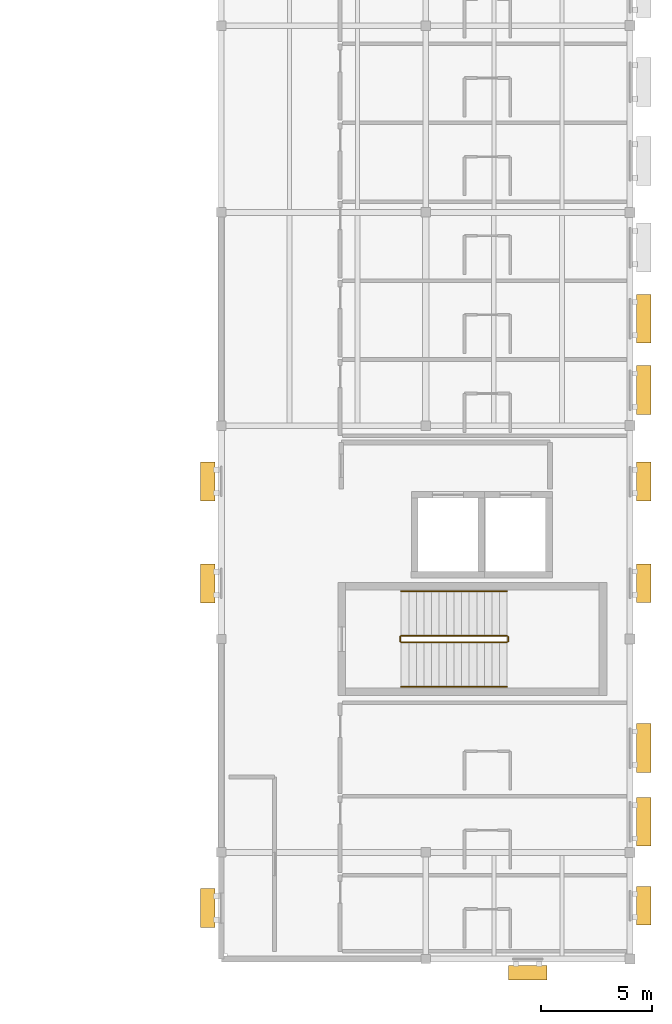
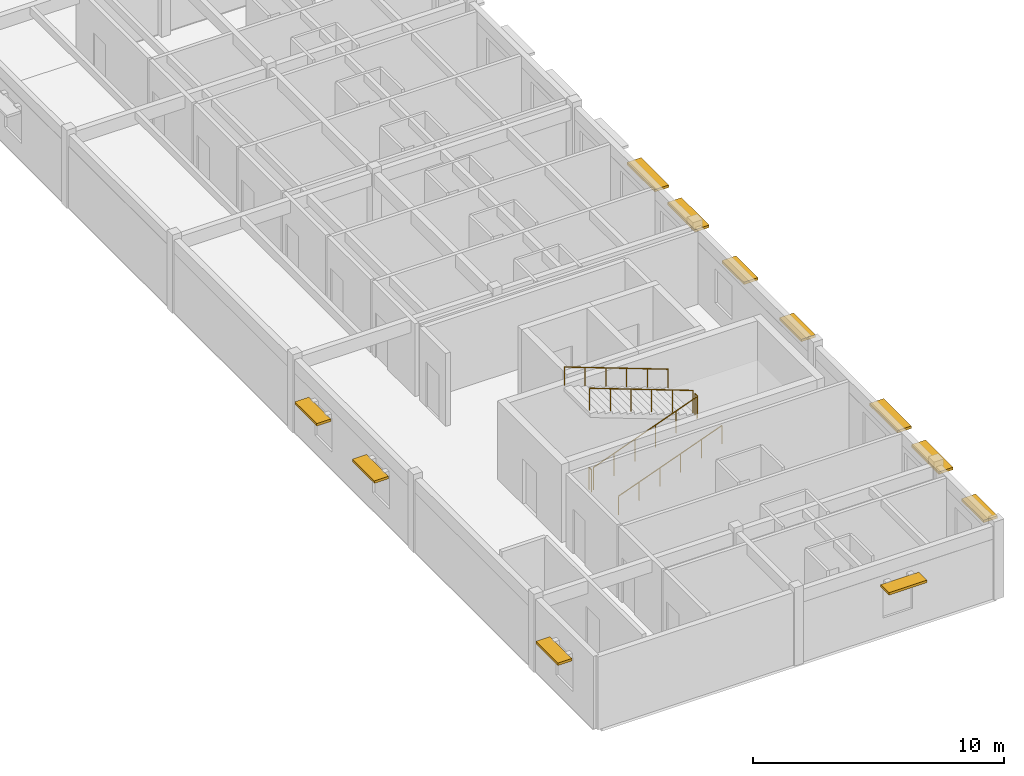
# One storey, part 12 of 14: 11 shading devices, 6 railings.
"""IFC4 building model written with IfcOpenShell, lengths in metres."""

import ifcopenshell
import ifcopenshell.guid

model = None  # the IFC model being written
_history = None  # IfcOwnerHistory: only IFC2X3 demands one
_inside = {}  # id of a spatial element -> (the spatial element, [elements in it])
_under = {}  # id of a project, library or spatial element -> (it, [spatial elements below it])
_declared = {}  # id of a project -> (the project, [libraries it declares])
_typed = {}  # id of a type object -> (the type object, [elements of that type])
_made_of = {}  # id of a material, layer set ... -> (it, [elements and type objects made of it])


def new_model(schema):
    """Start an empty IFC model of exactly this schema.

    Asked for "IFC4X3", IfcOpenShell would pick the latest addendum, in which some entities
    have other attributes; the version numbers below select the first issue.
    IFC2X3 requires an IfcOwnerHistory on every rooted entity: one is made here for all.
    """
    global model, _history
    if schema == "IFC4X3":
        model = ifcopenshell.file(schema_version=(4, 3, 0, 0))
    else:
        model = ifcopenshell.file(schema=schema)
    _inside.clear()
    _under.clear()
    _declared.clear()
    _typed.clear()
    _made_of.clear()
    _history = None
    if model.schema == "IFC2X3":
        org = make("IfcOrganization", Name="unknown")
        user = make(
            "IfcPersonAndOrganization",
            ThePerson=make("IfcPerson", FamilyName="unknown"),
            TheOrganization=org,
        )
        app = make(
            "IfcApplication",
            ApplicationDeveloper=org,
            Version="unknown",
            ApplicationFullName="unknown",
            ApplicationIdentifier="unknown",
        )
        _history = make(
            "IfcOwnerHistory",
            OwningUser=user,
            OwningApplication=app,
            ChangeAction="ADDED",
            CreationDate=0,
        )
    return model


def make(cls, **values):
    """One entity of the class cls with the attributes given. An attribute that is None is left unset."""
    return model.create_entity(
        cls, **{name: value for name, value in values.items() if value is not None}
    )


def rooted(cls, **values):
    """An entity with a GlobalId (a new one), such as an element, a storey or a relation."""
    return make(cls, GlobalId=ifcopenshell.guid.new(), OwnerHistory=_history, **values)


def si_unit(unit_type, name, prefix=None):
    """IfcSIUnit, for example si_unit("LENGTHUNIT", "METRE", prefix="MILLI")."""
    return make("IfcSIUnit", UnitType=unit_type, Prefix=prefix, Name=name)


def assignment(units):
    """IfcUnitAssignment: the units of a project."""
    return None if units is None else make("IfcUnitAssignment", Units=units)


def point(xyz):
    """IfcCartesianPoint."""
    return None if xyz is None else make("IfcCartesianPoint", Coordinates=xyz)


def direction(xyz):
    """IfcDirection."""
    return None if xyz is None else make("IfcDirection", DirectionRatios=xyz)


def frame(location, z_axis=None, x_axis=None):
    """IfcAxis2Placement3D, a coordinate frame: its origin and axes. An axis left out is left unset."""
    return make(
        "IfcAxis2Placement3D",
        Location=point(location),
        Axis=direction(z_axis),
        RefDirection=direction(x_axis),
    )


def frame_2d(location, x_axis=None):
    """IfcAxis2Placement2D, a coordinate frame in the plane: its origin and x axis."""
    return make(
        "IfcAxis2Placement2D", Location=point(location), RefDirection=direction(x_axis)
    )


def origin():
    """The frame at (0, 0, 0) with its axes left unset."""
    return frame((0.0, 0.0, 0.0))


def origin_2d():
    """The frame at (0, 0) in the plane with its x axis left unset."""
    return frame_2d((0.0, 0.0))


def place(relative_to, where):
    """IfcLocalPlacement: puts the frame where relative to a parent placement (None: the world)."""
    return make(
        "IfcLocalPlacement", PlacementRelTo=relative_to, RelativePlacement=where
    )


def context(
    kind, dimensions, precision=None, world=None, true_north=None, identifier=None
):
    """IfcGeometricRepresentationContext, for example the 3D "Model" context."""
    return make(
        "IfcGeometricRepresentationContext",
        ContextIdentifier=identifier,
        ContextType=kind,
        CoordinateSpaceDimension=dimensions,
        Precision=precision,
        WorldCoordinateSystem=world,
        TrueNorth=true_north,
    )


def subcontext(parent, identifier, kind, view, scale=None):
    """IfcGeometricRepresentationSubContext, for example "Body" below "Model"."""
    return make(
        "IfcGeometricRepresentationSubContext",
        ContextIdentifier=identifier,
        ContextType=kind,
        ParentContext=parent,
        TargetScale=scale,
        TargetView=view,
    )


def project(units=None, contexts=None):
    """IfcProject with its units and contexts."""
    return rooted(
        "IfcProject",
        Name="project",
        RepresentationContexts=contexts,
        UnitsInContext=assignment(units),
    )


def spatial(cls, under=None, at=None, **own):
    """A site, building, storey or space (cls), placed at a placement, below another one or the project."""
    s = rooted(cls, ObjectPlacement=at, **own)
    if under is not None:
        _under.setdefault(under.id(), (under, []))[1].append(s)
    return s


def profile(cls, at=None, kind="AREA", **sizes):
    """A parametric profile (cls). Its sizes go by their IFC names, for example OverallWidth=200.0."""
    return make(cls, ProfileType=kind, Position=at, **sizes)


def rectangle(**sizes):
    """IfcRectangleProfileDef."""
    return profile("IfcRectangleProfileDef", **sizes)


def circle(**sizes):
    """IfcCircleProfileDef."""
    return profile("IfcCircleProfileDef", **sizes)


def extrude(swept, where, along, depth):
    """IfcExtrudedAreaSolid: the profile swept, set in the frame where, extruded along a direction by depth."""
    return make(
        "IfcExtrudedAreaSolid",
        SweptArea=swept,
        Position=where,
        ExtrudedDirection=direction(along),
        Depth=depth,
    )


def shape(context_of_items, identifier, shape_type, items):
    """IfcShapeRepresentation: the items that make up one representation, for example the "Body"."""
    return make(
        "IfcShapeRepresentation",
        ContextOfItems=context_of_items,
        RepresentationIdentifier=identifier,
        RepresentationType=shape_type,
        Items=items,
    )


def material(Name=None, Category=None):
    """IfcMaterial."""
    return make("IfcMaterial", Name=Name, Category=Category)


def made_of(thing, what):
    """Note that an element or type object is made of a material, layer set ...; save() writes the relation."""
    if what is not None:
        _made_of.setdefault(what.id(), (what, []))[1].append(thing)
    return thing


def type_object(cls, material=None, **own):
    """A type object (cls), such as IfcWallType, which elements share."""
    return made_of(rooted(cls, **own), material)


def element(
    cls,
    number,
    at=None,
    inside=None,
    cuts=None,
    type_object=None,
    material=None,
    context=None,
    identifier="Body",
    shape_type=None,
    held_by="IfcProductDefinitionShape",
    body=None,
    shapes=None,
    **own,
):
    """One element of the class cls, such as IfcWall. Its Tag is "e" and its number.

    at: its placement. inside: the storey or other place that contains it. cuts: it is an
    opening in that element (IfcRelVoidsElement). A single representation is given by context,
    identifier, shape_type and body (its items); several are given by shapes. held_by: the class
    of the entity that holds the representations. save() writes the other relations.
    """
    e = rooted(cls, Tag="e%d" % number, ObjectPlacement=at, **own)
    if body is not None:
        shapes = [shape(context, identifier, shape_type, body)]
    if shapes is not None:
        e.Representation = make(held_by, Representations=shapes)
    if inside is not None:
        _inside.setdefault(inside.id(), (inside, []))[1].append(e)
    if cuts is not None:
        rooted(
            "IfcRelVoidsElement", RelatingBuildingElement=cuts, RelatedOpeningElement=e
        )
    if type_object is not None:
        _typed.setdefault(type_object.id(), (type_object, []))[1].append(e)
    return made_of(e, material)


def aggregate(whole, parts):
    """IfcRelAggregates: a whole, such as a stair, and the parts it consists of."""
    return rooted("IfcRelAggregates", RelatingObject=whole, RelatedObjects=parts)


def save(model, path):
    """Write the relations noted so far, then the file.

    IfcRelAggregates (storeys below a building ...), IfcRelContainedInSpatialStructure (elements
    in a storey), IfcRelDefinesByType, IfcRelAssociatesMaterial and IfcRelDeclares: one each for
    every whole, place, type object, material and project.
    """
    for whole, parts in _under.values():
        aggregate(whole, parts)
    for where, things in _inside.values():
        rooted(
            "IfcRelContainedInSpatialStructure",
            RelatedElements=things,
            RelatingStructure=where,
        )
    for kind, things in _typed.values():
        rooted("IfcRelDefinesByType", RelatedObjects=things, RelatingType=kind)
    for what, things in _made_of.values():
        rooted("IfcRelAssociatesMaterial", RelatedObjects=things, RelatingMaterial=what)
    for by, libraries in _declared.values():
        rooted("IfcRelDeclares", RelatingContext=by, RelatedDefinitions=libraries)
    model.write(path)


model = new_model("IFC4")

# Units and contexts
model_context = context("Model", 3, precision=1e-05, world=origin(), true_north=direction((0.0, 1.0)))
body_context = subcontext(model_context, "Body", "Model", "MODEL_VIEW")
ifc_project = project(units=[si_unit("LENGTHUNIT", "METRE"), si_unit("AREAUNIT", "SQUARE_METRE"), si_unit("VOLUMEUNIT", "CUBIC_METRE"), si_unit("PLANEANGLEUNIT", "RADIAN"), si_unit("MASSUNIT", "GRAM", prefix="KILO")], contexts=[model_context])

# Site, building, storey
site_placement = place(None, origin())
site = spatial("IfcSite", under=ifc_project, at=site_placement, CompositionType="ELEMENT")
building_placement = place(site_placement, origin())
building = spatial("IfcBuilding", under=site, at=building_placement, Name="Veldera Park Congress Hotel", CompositionType="ELEMENT")
storey_placement = place(building_placement, frame((0.0, 0.0, 42.800048828125)))
storey = spatial("IfcBuildingStorey", under=building, at=storey_placement, Name="L10", CompositionType="ELEMENT", Elevation=42.800048828125)

# Railings
ifc_material_1 = material(Name="Steel ASTM A992 Gr.50", Category="steel")
railing_type_1 = type_object("IfcRailingType", Name="GRD-ST110", PredefinedType="GUARDRAIL", material=ifc_material_1)
railing_1_placement = place(storey_placement, frame((73.699951171875, -9.14990234375, 0.126708984375)))
element("IfcRailing", 1, at=railing_1_placement, inside=storey, type_object=railing_type_1, Name="L10 ST2 stair guard 1", PredefinedType="GUARDRAIL", context=body_context, shape_type="SweptSolid", body=[
    extrude(circle(Radius=0.02392578125, at=origin_2d()), frame((0.0, 0.0, 1.076171875), z_axis=(0.937091363699, 0.0, 0.349084196263), x_axis=(0.0, 1.0, 0.0)), (0.0, 0.0, 1.0), 5.07958984375),
    extrude(circle(Radius=0.02099609375, at=origin_2d()), origin(), (0.0, 0.0, 1.0), 1.052001953125),
    extrude(circle(Radius=0.02099609375, at=origin_2d()), frame((0.951904296875, 0.0, 0.354736328125)), (0.0, 0.0, 1.0), 1.052001953125),
    extrude(circle(Radius=0.02099609375, at=origin_2d()), frame((1.904052734375, 0.0, 0.709228515625)), (0.0, 0.0, 1.0), 1.052001953125),
    extrude(circle(Radius=0.02099609375, at=origin_2d()), frame((2.85595703125, 0.0, 1.06396484375)), (0.0, 0.0, 1.0), 1.052001953125),
    extrude(circle(Radius=0.02099609375, at=origin_2d()), frame((3.80810546875, 0.0, 1.41845703125)), (0.0, 0.0, 1.0), 1.052001953125),
    extrude(circle(Radius=0.02099609375, at=origin_2d()), frame((4.760009765625, 0.0, 1.773193359375)), (0.0, 0.0, 1.0), 1.052001953125),
])
railing_2_placement = place(storey_placement, frame((78.510009765625, -9.10009765625, 1.89990234375)))
element("IfcRailing", 2, at=railing_2_placement, inside=storey, type_object=railing_type_1, Name="L10 ST2 stair guard 2", PredefinedType="GUARDRAIL", context=body_context, shape_type="SweptSolid", body=[
    extrude(circle(Radius=0.02392578125, at=origin_2d()), frame((0.0, 0.0, 1.076171875), z_axis=(0.0, 1.0, 0.0), x_axis=(-1.0, 0.0, 0.0)), (0.0, 0.0, 1.0), 0.2001953125),
    extrude(circle(Radius=0.02099609375, at=origin_2d()), origin(), (0.0, 0.0, 1.0), 1.052001953125),
    extrude(circle(Radius=0.02099609375, at=origin_2d()), frame((0.0, 0.2001953125, 0.0)), (0.0, 0.0, 1.0), 1.052001953125),
])
railing_3_placement = place(storey_placement, frame((78.4599609375, -8.85009765625, 2.026611328125)))
element("IfcRailing", 3, at=railing_3_placement, inside=storey, type_object=railing_type_1, Name="L10 ST2 stair guard 3", PredefinedType="GUARDRAIL", context=body_context, shape_type="SweptSolid", body=[
    extrude(circle(Radius=0.02392578125, at=origin_2d()), frame((0.0, 0.0, 1.076171875), z_axis=(-0.937075640343, 0.0, 0.349126401572), x_axis=(0.0, -1.0, 0.0)), (0.0, 0.0, 1.0), 5.07958984375),
    extrude(circle(Radius=0.02099609375, at=origin_2d()), origin(), (0.0, 0.0, 1.0), 1.052001953125),
    extrude(circle(Radius=0.02099609375, at=origin_2d()), frame((-0.951904296875, 0.0, 0.354736328125)), (0.0, 0.0, 1.0), 1.052001953125),
    extrude(circle(Radius=0.02099609375, at=origin_2d()), frame((-1.904052734375, 0.0, 0.70947265625)), (0.0, 0.0, 1.0), 1.052001953125),
    extrude(circle(Radius=0.02099609375, at=origin_2d()), frame((-2.85595703125, 0.0, 1.06396484375)), (0.0, 0.0, 1.0), 1.052001953125),
    extrude(circle(Radius=0.02099609375, at=origin_2d()), frame((-3.80810546875, 0.0, 1.418701171875)), (0.0, 0.0, 1.0), 1.052001953125),
    extrude(circle(Radius=0.02099609375, at=origin_2d()), frame((-4.760009765625, 0.0, 1.7734375)), (0.0, 0.0, 1.0), 1.052001953125),
])
railing_4_placement = place(storey_placement, frame((73.64990234375, -9.10009765625, 0.0)))
element("IfcRailing", 4, at=railing_4_placement, inside=storey, type_object=railing_type_1, Name="L10 ST2 stair guard 4", PredefinedType="GUARDRAIL", context=body_context, shape_type="SweptSolid", body=[
    extrude(circle(Radius=0.02392578125, at=origin_2d()), frame((0.0, 0.0, 1.076171875), z_axis=(0.0, 1.0, 0.0), x_axis=(-1.0, 0.0, 0.0)), (0.0, 0.0, 1.0), 0.2001953125),
    extrude(circle(Radius=0.02099609375, at=origin_2d()), origin(), (0.0, 0.0, 1.0), 1.052001953125),
    extrude(circle(Radius=0.02099609375, at=origin_2d()), frame((0.0, 0.2001953125, 0.0)), (0.0, 0.0, 1.0), 1.052001953125),
])
railing_type_2 = type_object("IfcRailingType", Name="HRL-920", PredefinedType="HANDRAIL", material=ifc_material_1)
railing_5_placement = place(storey_placement, frame((73.699951171875, -11.14990234375, 0.126708984375)))
element("IfcRailing", 5, at=railing_5_placement, inside=storey, type_object=railing_type_2, Name="L10 ST2 stair handrail 1", PredefinedType="HANDRAIL", context=body_context, shape_type="SweptSolid", body=[
    extrude(circle(Radius=0.02392578125, at=origin_2d()), frame((0.0, 0.0, 0.89599609375), z_axis=(0.937091363699, 0.0, 0.349084196263), x_axis=(0.0, 1.0, 0.0)), (0.0, 0.0, 1.0), 5.07958984375),
    extrude(circle(Radius=0.02099609375, at=origin_2d()), origin(), (0.0, 0.0, 1.0), 0.871826171875),
    extrude(circle(Radius=0.02099609375, at=origin_2d()), frame((0.951904296875, 0.0, 0.354736328125)), (0.0, 0.0, 1.0), 0.871826171875),
    extrude(circle(Radius=0.02099609375, at=origin_2d()), frame((1.904052734375, 0.0, 0.709228515625)), (0.0, 0.0, 1.0), 0.871826171875),
    extrude(circle(Radius=0.02099609375, at=origin_2d()), frame((2.85595703125, 0.0, 1.06396484375)), (0.0, 0.0, 1.0), 0.871826171875),
    extrude(circle(Radius=0.02099609375, at=origin_2d()), frame((3.80810546875, 0.0, 1.41845703125)), (0.0, 0.0, 1.0), 0.871826171875),
    extrude(circle(Radius=0.02099609375, at=origin_2d()), frame((4.760009765625, 0.0, 1.773193359375)), (0.0, 0.0, 1.0), 0.871826171875),
])
railing_6_placement = place(storey_placement, frame((78.4599609375, -6.85009765625, 2.026611328125)))
element("IfcRailing", 6, at=railing_6_placement, inside=storey, type_object=railing_type_2, Name="L10 ST2 stair handrail 2", PredefinedType="HANDRAIL", context=body_context, shape_type="SweptSolid", body=[
    extrude(circle(Radius=0.02392578125, at=origin_2d()), frame((0.0, 0.0, 0.89599609375), z_axis=(-0.937075640343, 0.0, 0.349126401572), x_axis=(0.0, -1.0, 0.0)), (0.0, 0.0, 1.0), 5.07958984375),
    extrude(circle(Radius=0.02099609375, at=origin_2d()), origin(), (0.0, 0.0, 1.0), 0.871826171875),
    extrude(circle(Radius=0.02099609375, at=origin_2d()), frame((-0.951904296875, 0.0, 0.354736328125)), (0.0, 0.0, 1.0), 0.871826171875),
    extrude(circle(Radius=0.02099609375, at=origin_2d()), frame((-1.904052734375, 0.0, 0.70947265625)), (0.0, 0.0, 1.0), 0.871826171875),
    extrude(circle(Radius=0.02099609375, at=origin_2d()), frame((-2.85595703125, 0.0, 1.06396484375)), (0.0, 0.0, 1.0), 0.871826171875),
    extrude(circle(Radius=0.02099609375, at=origin_2d()), frame((-3.80810546875, 0.0, 1.418701171875)), (0.0, 0.0, 1.0), 0.871826171875),
    extrude(circle(Radius=0.02099609375, at=origin_2d()), frame((-4.760009765625, 0.0, 1.7734375)), (0.0, 0.0, 1.0), 0.871826171875),
])

# Shading devices
ifc_material_2 = material(Name="Glulam GL28h (NDS 24F-V4)", Category="wood")
shading_device_type = type_object("IfcShadingDeviceType", Name="SHD-LVR300", PredefinedType="JALOUSIE", material=ifc_material_2)
for number, where, z_axis, x_axis, name in (
    (7, (79.392578125, -24.017578125, 2.519775390625), (0.0, 0.0, 1.0), (1.0, 0.0, 0.0), "Glulam Solar Shade 248"),
    (8, (84.617431640625, -21.0, 2.519775390625), (0.0, 0.0, 1.0), (0.0, 1.0, 0.0), "Glulam Solar Shade 249"),
    (9, (84.617431640625, -6.488525390625, 2.519775390625), (0.0, 0.0, 1.0), (0.0, 1.0, 0.0), "Glulam Solar Shade 250"),
    (10, (84.617431640625, -1.91162109375, 2.519775390625), (0.0, 0.0, 1.0), (0.0, 1.0, 0.0), "Glulam Solar Shade 251"),
    (11, (64.982421875, -1.904052734375, 2.519775390625), (0.0, 0.0, 1.0), (0.0, -1.0, 0.0), "Glulam Solar Shade 262"),
    (12, (64.982421875, -6.49609375, 2.519775390625), (0.0, 0.0, 1.0), (0.0, -1.0, 0.0), "Glulam Solar Shade 263"),
    (13, (64.982421875, -21.10400390625, 2.519775390625), (0.0, 0.0, 1.0), (0.0, -1.0, 0.0), "Glulam Solar Shade 264"),
):
    element("IfcShadingDevice", number, at=place(storey_placement, frame(where, z_axis=z_axis, x_axis=x_axis)), inside=storey, type_object=shading_device_type, Name=name, PredefinedType="JALOUSIE", context=body_context, shape_type="SweptSolid", body=[
        extrude(rectangle(XDim=1.75, YDim=0.64990234375, at=origin_2d()), origin(), (0.0, 0.0, 1.0), 0.1201171875),
    ])
for number, where, z_axis, x_axis, name in (
    (14, (84.617431640625, -17.223388671875, 2.719970703125), (0.0, 0.0, 1.0), (0.0, 1.0, 0.0), "Glulam Solar Shade 488"),
    (15, (84.617431640625, -13.909912109375, 2.719970703125), (0.0, 0.0, 1.0), (0.0, 1.0, 0.0), "Glulam Solar Shade 489"),
    (16, (84.617431640625, 2.201416015625, 2.719970703125), (0.0, 0.0, 1.0), (0.0, 1.0, 0.0), "Glulam Solar Shade 490"),
    (17, (84.617431640625, 5.4150390625, 2.719970703125), (0.0, 0.0, 1.0), (0.0, 1.0, 0.0), "Glulam Solar Shade 491"),
):
    element("IfcShadingDevice", number, at=place(storey_placement, frame(where, z_axis=z_axis, x_axis=x_axis)), inside=storey, type_object=shading_device_type, Name=name, PredefinedType="JALOUSIE", context=body_context, shape_type="SweptSolid", body=[
        extrude(rectangle(XDim=2.199951171875, YDim=0.64990234375, at=origin_2d()), origin(), (0.0, 0.0, 1.0), 0.1201171875),
    ])

save(model, "model.ifc")
